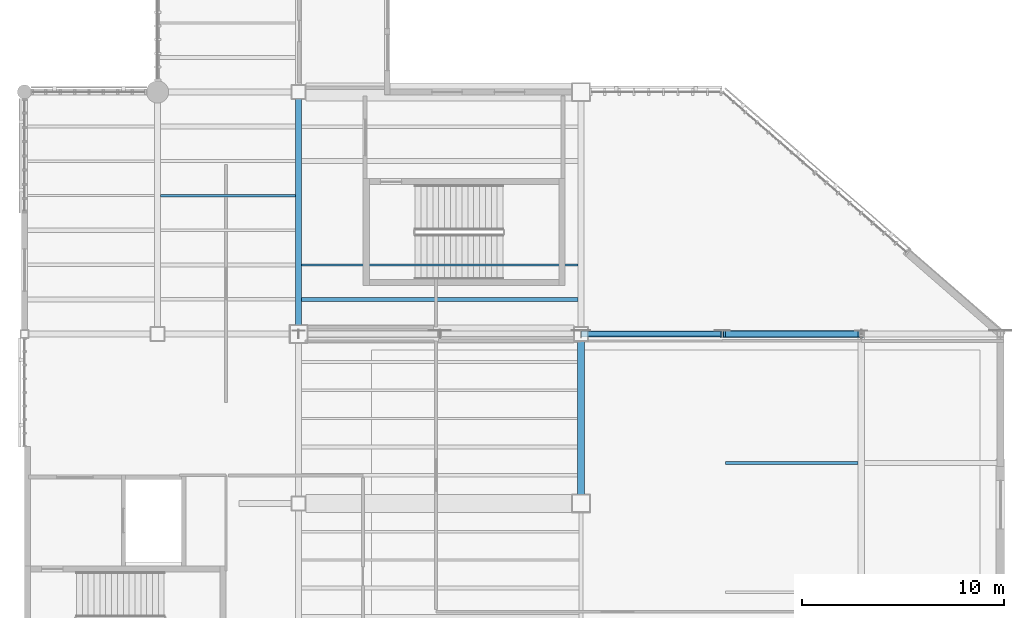
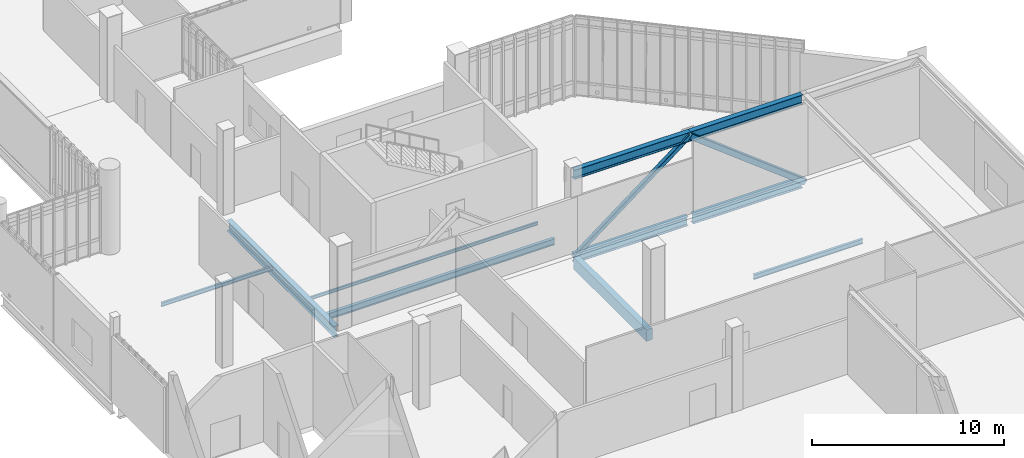
# One storey, part 38 of 135: 10 beams, 2 members.
"""IFC4 building model written with IfcOpenShell, lengths in metres."""

from ifc_helpers import new_model, si_unit, direction, frame, origin, origin_2d, place, context, subcontext, project, spatial, rectangle, hollow_rectangle, i_section, extrude, material, material_profile, profile_set, type_object, element, save


model = new_model("IFC4")

# Units and contexts
model_context = context("Model", 3, precision=1e-05, world=origin(), true_north=direction((0.0, 1.0)))
body_context = subcontext(model_context, "Body", "Model", "MODEL_VIEW")
ifc_project = project(units=[si_unit("LENGTHUNIT", "METRE"), si_unit("AREAUNIT", "SQUARE_METRE"), si_unit("VOLUMEUNIT", "CUBIC_METRE"), si_unit("PLANEANGLEUNIT", "RADIAN"), si_unit("MASSUNIT", "GRAM", prefix="KILO")], contexts=[model_context])

# Site, building, storey
site_placement = place(None, origin())
site = spatial("IfcSite", under=ifc_project, at=site_placement, CompositionType="ELEMENT")
building_placement = place(site_placement, origin())
building = spatial("IfcBuilding", under=site, at=building_placement, Name="Larkvane Passage Sports Hall", CompositionType="ELEMENT")
storey_placement = place(building_placement, frame((0.0, 0.0, 16.800048828125)))
storey = spatial("IfcBuildingStorey", under=building, at=storey_placement, Name="L03", CompositionType="ELEMENT", Elevation=16.800048828125)

# Beams
ifc_material_1 = material(Name="Steel S460N", Category="steel")
ifc_material_profile_1 = material_profile(ifc_material_1, i_section(OverallWidth=0.300048828125, OverallDepth=0.587890625, WebThickness=0.011962890625, FlangeThickness=0.02001953125, FilletRadius=0.02197265625, at=origin_2d()), Name="H-588x300x12x20")
ifc_profile_set_1 = profile_set([ifc_material_profile_1], Name="Steel S460N")
beam_type_1 = type_object("IfcBeamType", Name="BM-STL-H588", PredefinedType="BEAM", material=ifc_profile_set_1)
beam_1_placement = place(storey_placement, frame((145.60009765625, 39.60009765625, -0.614013671875), z_axis=(1.0, 0.0, 0.0), x_axis=(0.0, 1.0, 0.0)))
element("IfcBeam", 1, at=beam_1_placement, inside=storey, type_object=beam_type_1, Name="Cantilever truss CT-E3A-2 bottom chord 3", PredefinedType="BEAM", context=body_context, shape_type="SweptSolid", body=[
    extrude(i_section(OverallWidth=0.300048828125, OverallDepth=0.587890625, WebThickness=0.011962890625, FlangeThickness=0.02001953125, FilletRadius=0.02197265625, at=origin_2d()), origin(), (0.0, 0.0, 1.0), 6.844970703125),
])
beam_2_placement = place(storey_placement, frame((145.60009765625, 39.60009765625, 4.725830078125), z_axis=(1.0, 0.0, 0.0), x_axis=(0.0, 1.0, 0.0)))
element("IfcBeam", 2, at=beam_2_placement, inside=storey, type_object=beam_type_1, Name="Cantilever truss CT-E3A-2 top chord 3", PredefinedType="BEAM", context=body_context, shape_type="SweptSolid", body=[
    extrude(i_section(OverallWidth=0.300048828125, OverallDepth=0.587890625, WebThickness=0.011962890625, FlangeThickness=0.02001953125, FilletRadius=0.02197265625, at=origin_2d()), origin(), (0.0, 0.0, 1.0), 7.0),
])
beam_3_placement = place(storey_placement, frame((152.7548828125, 39.60009765625, -0.614013671875), z_axis=(1.0, 0.0, 0.0), x_axis=(0.0, 1.0, 0.0)))
element("IfcBeam", 3, at=beam_3_placement, inside=storey, type_object=beam_type_1, Name="Cantilever truss CT-E3A-2 bottom chord 4", PredefinedType="BEAM", context=body_context, shape_type="SweptSolid", body=[
    extrude(i_section(OverallWidth=0.300048828125, OverallDepth=0.587890625, WebThickness=0.011962890625, FlangeThickness=0.02001953125, FilletRadius=0.02197265625, at=origin_2d()), origin(), (0.0, 0.0, 1.0), 6.590087890625),
])
beam_4_placement = place(storey_placement, frame((152.60009765625, 39.60009765625, 4.725830078125), z_axis=(1.0, 0.0, 0.0), x_axis=(0.0, 1.0, 0.0)))
element("IfcBeam", 4, at=beam_4_placement, inside=storey, type_object=beam_type_1, Name="Cantilever truss CT-E3A-2 top chord 4", PredefinedType="BEAM", context=body_context, shape_type="SweptSolid", body=[
    extrude(i_section(OverallWidth=0.300048828125, OverallDepth=0.587890625, WebThickness=0.011962890625, FlangeThickness=0.02001953125, FilletRadius=0.02197265625, at=origin_2d()), origin(), (0.0, 0.0, 1.0), 6.744873046875),
])
ifc_material_profile_2 = material_profile(ifc_material_1, i_section(OverallWidth=0.300048828125, OverallDepth=0.69189453125, WebThickness=0.012939453125, FlangeThickness=0.02001953125, FilletRadius=0.02197265625, at=origin_2d()), Name="H-692x300x13x20")
ifc_profile_set_2 = profile_set([ifc_material_profile_2], Name="Steel S460N")
beam_type_2 = type_object("IfcBeamType", Name="BM-STL-H692", PredefinedType="BEAM", material=ifc_profile_set_2)
beam_5_placement = place(storey_placement, frame((131.60009765625, 40.050048828125, -0.68603515625), z_axis=(0.0, 1.0, 0.0), x_axis=(-1.0, 0.0, 0.0)))
element("IfcBeam", 5, at=beam_5_placement, inside=storey, type_object=beam_type_2, Name="Girder BM5-Y-L03-18-1046", PredefinedType="BEAM", context=body_context, shape_type="SweptSolid", body=[
    extrude(i_section(OverallWidth=0.300048828125, OverallDepth=0.69189453125, WebThickness=0.012939453125, FlangeThickness=0.02001953125, FilletRadius=0.02197265625, at=origin_2d()), origin(), (0.0, 0.0, 1.0), 11.199951171875),
])
ifc_material_2 = material(Name="Steel S355JR", Category="steel")
ifc_material_profile_3 = material_profile(ifc_material_2, i_section(OverallWidth=0.10009765625, OverallDepth=0.199951171875, WebThickness=0.005615234375, FlangeThickness=0.008056640625, FilletRadius=0.008056640625, at=origin_2d()), Name="H-200x100x5.5x8")
ifc_profile_set_3 = profile_set([ifc_material_profile_3], Name="Steel S355JR")
beam_type_3 = type_object("IfcBeamType", Name="JST-STL-H200", PredefinedType="JOIST", material=ifc_profile_set_3)
beam_6_placement = place(storey_placement, frame((131.75, 43.028564453125, -0.43994140625), z_axis=(1.0, 0.0, 0.0), x_axis=(0.0, 1.0, 0.0)))
element("IfcBeam", 6, at=beam_6_placement, inside=storey, type_object=beam_type_3, Name="Composite joist L03 18/F-2", PredefinedType="JOIST", context=body_context, shape_type="SweptSolid", body=[
    extrude(i_section(OverallWidth=0.10009765625, OverallDepth=0.199951171875, WebThickness=0.005615234375, FlangeThickness=0.008056640625, FilletRadius=0.008056640625, at=origin_2d()), origin(), (0.0, 0.0, 1.0), 13.699951171875),
])
ifc_material_profile_4 = material_profile(ifc_material_2, i_section(OverallWidth=0.125, OverallDepth=0.25, WebThickness=0.006103515625, FlangeThickness=0.009033203125, FilletRadius=0.008056640625, at=origin_2d()), Name="H-250x125x6x9")
ifc_profile_set_4 = profile_set([ifc_material_profile_4], Name="Steel S355JR")
beam_type_4 = type_object("IfcBeamType", Name="JST-STL-H250", PredefinedType="JOIST", material=ifc_profile_set_4)
beam_7_placement = place(storey_placement, frame((124.75, 46.45703125, -0.465087890625), z_axis=(1.0, 0.0, 0.0), x_axis=(0.0, 1.0, 0.0)))
element("IfcBeam", 7, at=beam_7_placement, inside=storey, type_object=beam_type_4, Name="Composite joist L03 17/F-4", PredefinedType="JOIST", context=body_context, shape_type="SweptSolid", body=[
    extrude(i_section(OverallWidth=0.125, OverallDepth=0.25, WebThickness=0.006103515625, FlangeThickness=0.009033203125, FilletRadius=0.008056640625, at=origin_2d()), origin(), (0.0, 0.0, 1.0), 6.699951171875),
])
ifc_material_profile_5 = material_profile(ifc_material_2, i_section(OverallWidth=0.14990234375, OverallDepth=0.300048828125, WebThickness=0.006591796875, FlangeThickness=0.009033203125, FilletRadius=0.012939453125, at=origin_2d()), Name="H-300x150x6.5x9")
ifc_profile_set_5 = profile_set([ifc_material_profile_5], Name="Steel S355JR")
beam_type_5 = type_object("IfcBeamType", Name="JST-STL-H300", PredefinedType="JOIST", material=ifc_profile_set_5)
beam_8_placement = place(storey_placement, frame((152.760009765625, 33.199951171875, -0.469970703125), z_axis=(1.0, 0.0, 0.0), x_axis=(0.0, 1.0, 0.0)))
element("IfcBeam", 8, at=beam_8_placement, inside=storey, type_object=beam_type_5, Name="Cantilever floor joist CT-E3A--4-4", PredefinedType="JOIST", context=body_context, shape_type="SweptSolid", body=[
    extrude(i_section(OverallWidth=0.14990234375, OverallDepth=0.300048828125, WebThickness=0.006591796875, FlangeThickness=0.009033203125, FilletRadius=0.012939453125, at=origin_2d()), origin(), (0.0, 0.0, 1.0), 6.580078125),
])
ifc_material_profile_6 = material_profile(ifc_material_2, i_section(OverallWidth=0.199951171875, OverallDepth=0.39990234375, WebThickness=0.008056640625, FlangeThickness=0.012939453125, FilletRadius=0.012939453125, at=origin_2d()), Name="H-400x200x8x13")
ifc_profile_set_6 = profile_set([ifc_material_profile_6], Name="Steel S355JR")
beam_type_6 = type_object("IfcBeamType", Name="JST-STL-H400", PredefinedType="JOIST", material=ifc_profile_set_6)
beam_9_placement = place(storey_placement, frame((131.75, 41.314208984375, -0.5400390625), z_axis=(1.0, 0.0, 0.0), x_axis=(0.0, 1.0, 0.0)))
element("IfcBeam", 9, at=beam_9_placement, inside=storey, type_object=beam_type_6, Name="Composite joist L03 18/F-1", PredefinedType="JOIST", context=body_context, shape_type="SweptSolid", body=[
    extrude(i_section(OverallWidth=0.199951171875, OverallDepth=0.39990234375, WebThickness=0.008056640625, FlangeThickness=0.012939453125, FilletRadius=0.012939453125, at=origin_2d()), origin(), (0.0, 0.0, 1.0), 13.699951171875),
])

# Members
ifc_material_profile_7 = material_profile(ifc_material_1, hollow_rectangle(XDim=0.25, YDim=0.25, WallThickness=0.011962890625, InnerFilletRadius=0.011962890625, OuterFilletRadius=0.02392578125, at=origin_2d()), Name="SHS-250x250x12")
ifc_profile_set_7 = profile_set([ifc_material_profile_7], Name="Steel S460N")
member_type_1 = type_object("IfcMemberType", Name="MBR-BR-SHS250", PredefinedType="BRACE", material=ifc_profile_set_7)
member_1_placement = place(storey_placement, frame((145.60009765625, 39.60009765625, -0.614013671875), z_axis=(0.79507511045, 0.0, 0.606510979903), x_axis=(0.0, 1.0, 0.0)))
element("IfcMember", 10, at=member_1_placement, inside=storey, type_object=member_type_1, Name="Cantilever truss CT-E3A-2 web diagonal 3", PredefinedType="BRACE", context=body_context, shape_type="SweptSolid", body=[
    extrude(hollow_rectangle(XDim=0.25, YDim=0.25, WallThickness=0.011962890625, InnerFilletRadius=0.011962890625, OuterFilletRadius=0.02392578125, at=origin_2d()), origin(), (0.0, 0.0, 1.0), 8.80419921875),
])
ifc_material_profile_8 = material_profile(ifc_material_1, hollow_rectangle(XDim=0.35009765625, YDim=0.35009765625, WallThickness=0.01611328125, InnerFilletRadius=0.01611328125, OuterFilletRadius=0.031982421875, at=origin_2d()), Name="SHS-350x350x16")
ifc_profile_set_8 = profile_set([ifc_material_profile_8], Name="Steel S460N")
member_type_2 = type_object("IfcMemberType", Name="MBR-BR-SHS350", PredefinedType="BRACE", material=ifc_profile_set_8)
member_2_placement = place(storey_placement, frame((152.60009765625, 39.60009765625, 4.725830078125), z_axis=(0.790835550761, 0.0, -0.612028701658), x_axis=(0.0, 1.0, 0.0)))
element("IfcMember", 11, at=member_2_placement, inside=storey, type_object=member_type_2, Name="Cantilever truss CT-E3A-2 web diagonal 4", PredefinedType="BRACE", context=body_context, shape_type="SweptSolid", body=[
    extrude(hollow_rectangle(XDim=0.35009765625, YDim=0.35009765625, WallThickness=0.01611328125, InnerFilletRadius=0.01611328125, OuterFilletRadius=0.031982421875, at=origin_2d()), origin(), (0.0, 0.0, 1.0), 8.724853515625),
])

# Beam
ifc_material_3 = material(Name="Concrete C40/50", Category="concrete")
ifc_material_profile_9 = material_profile(ifc_material_3, rectangle(XDim=0.35009765625, YDim=0.75, at=origin_2d()), Name="RC-SP-350x750")
ifc_profile_set_9 = profile_set([ifc_material_profile_9], Name="Concrete C40/50")
beam_type_7 = type_object("IfcBeamType", Name="SP-RC-350x750", PredefinedType="SPANDREL", material=ifc_profile_set_9)
beam_10_placement = place(storey_placement, frame((145.60009765625, 31.64990234375, -0.715087890625), z_axis=(0.0, 1.0, 0.0), x_axis=(-1.0, 0.0, 0.0)))
element("IfcBeam", 12, at=beam_10_placement, inside=storey, type_object=beam_type_7, Name="Girder BM5-Y-L03-19-1049", PredefinedType="SPANDREL", context=body_context, shape_type="SweptSolid", body=[
    extrude(rectangle(XDim=0.35009765625, YDim=0.75, at=origin_2d()), origin(), (0.0, 0.0, 1.0), 7.60009765625),
])

save(model, "model.ifc")
